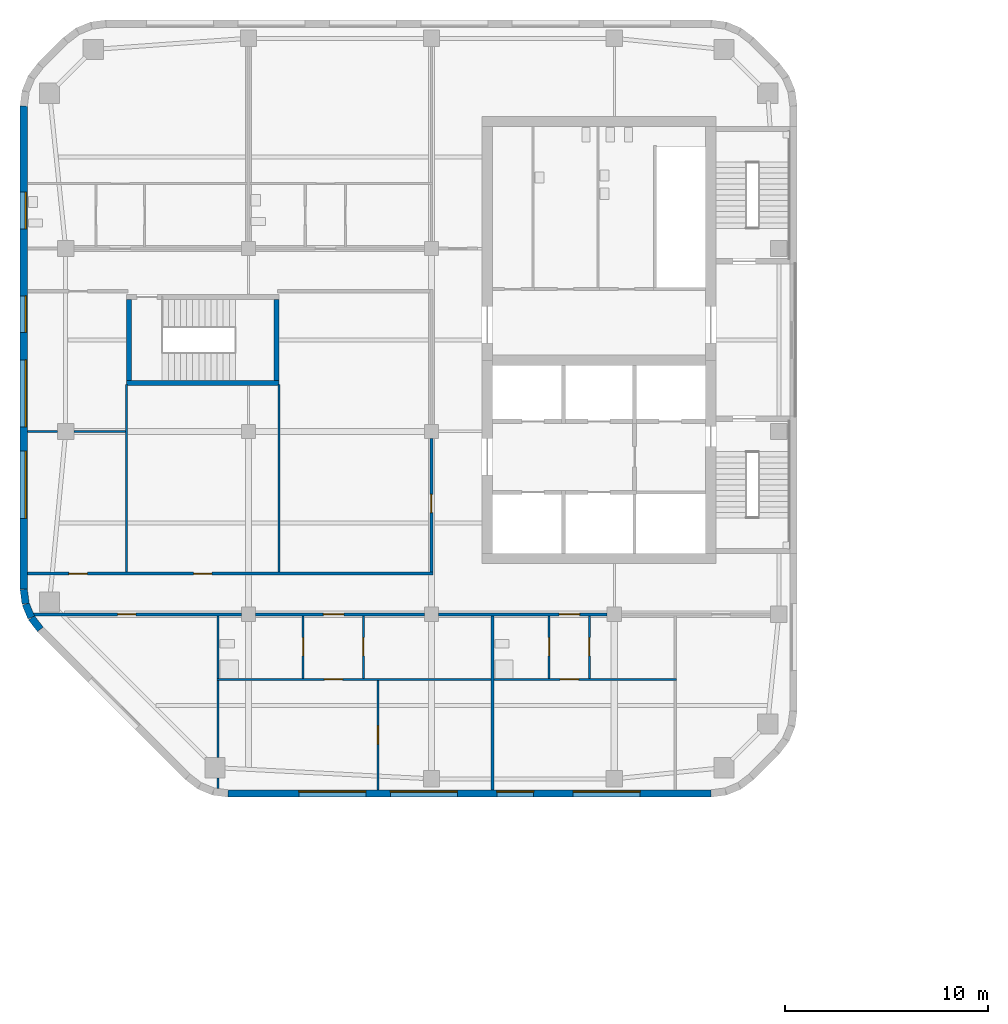
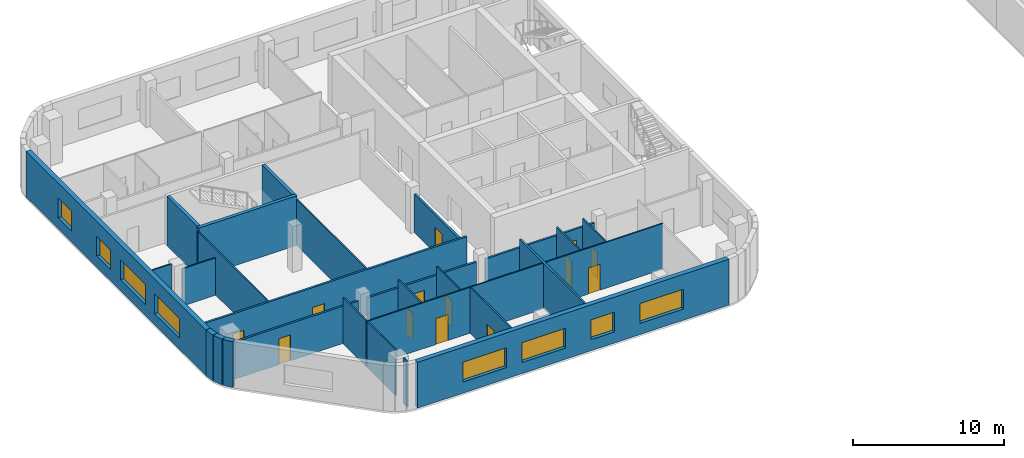
# One storey, part 5 of 15: 28 walls, 13 doors, 8 windows, 21 openings.
"""IFC4 building model written with IfcOpenShell, lengths in metres."""

from ifc_helpers import new_model, si_unit, direction, frame, frame_2d, origin, place, context, subcontext, project, spatial, rectangle, extrude, material, layer, layer_set, type_object, element, fill, save


model = new_model("IFC4")

# Units and contexts
model_context = context("Model", 3, precision=1e-05, world=origin(), true_north=direction((0.0, 1.0)))
body_context = subcontext(model_context, "Body", "Model", "MODEL_VIEW")
ifc_project = project(units=[si_unit("LENGTHUNIT", "METRE"), si_unit("AREAUNIT", "SQUARE_METRE"), si_unit("VOLUMEUNIT", "CUBIC_METRE"), si_unit("PLANEANGLEUNIT", "RADIAN"), si_unit("MASSUNIT", "GRAM", prefix="KILO")], contexts=[model_context])

# Site, building, storey
site_placement = place(None, origin())
site = spatial("IfcSite", under=ifc_project, at=site_placement, CompositionType="ELEMENT")
building_placement = place(site_placement, origin())
building = spatial("IfcBuilding", under=site, at=building_placement, Name="Cinnabar Reach Civic Tower", CompositionType="ELEMENT")
storey_placement = place(building_placement, frame((0.0, 0.0, 91.0)))
storey = spatial("IfcBuildingStorey", under=building, at=storey_placement, Name="L21", CompositionType="ELEMENT", Elevation=91.0)

# Walls
ifc_material_1 = material(Name="Facing brick with insulated backing", Category="masonry")
ifc_layer_1 = layer(ifc_material_1, 0.36)
ifc_layer_set_1 = layer_set([ifc_layer_1], Name="Brick corner wall")
wall_type_1 = type_object("IfcWallType", Name="Brick corner wall", PredefinedType="STANDARD", material=ifc_layer_set_1)
for number, where, z_axis, x_axis, name in (
    (1, (-65.067, 19.2314, 0.0), (0.0, 0.0, 1.0), (0.13055608231, -0.99144092581, 0.0), "Brick corner wall"),
    (2, (-64.9681, 18.5027, 0.0), (0.0, 0.0, 1.0), (0.382702709855, -0.923871547278, 0.0), "Brick corner wall"),
):
    element("IfcWall", number, at=place(storey_placement, frame(where, z_axis=z_axis, x_axis=x_axis)), inside=storey, type_object=wall_type_1, Name=name, PredefinedType="STANDARD", context=body_context, shape_type="SweptSolid", body=[
        extrude(rectangle(XDim=0.7131, YDim=0.36, at=frame_2d((0.3565, 0.0))), origin(), (0.0, 0.0, 1.0), 3.7),
    ])
wall_1_placement = place(storey_placement, frame((-64.684, 17.8245, 0.0), z_axis=(0.0, 0.0, 1.0), x_axis=(0.608802368033, -0.793321924995, 0.0)))
element("IfcWall", 3, at=wall_1_placement, inside=storey, type_object=wall_type_1, Name="Brick corner wall", PredefinedType="STANDARD", context=body_context, shape_type="SweptSolid", body=[
    extrude(rectangle(XDim=0.7132, YDim=0.36, at=frame_2d((0.3566, 0.0))), origin(), (0.0, 0.0, 1.0), 3.7),
])

# Wall, openings, windows
ifc_layer_2 = layer(ifc_material_1, 0.36)
ifc_layer_set_2 = layer_set([ifc_layer_2], Name="Brick pier and spandrel wall")
wall_type_2 = type_object("IfcWallType", Name="Brick pier and spandrel wall", PredefinedType="STANDARD", material=ifc_layer_set_2)
wall_2_placement = place(storey_placement, frame((-55.0074, 9.18, 0.0), z_axis=(0.0, 0.0, 1.0), x_axis=(1.0, 0.0, 0.0)))
wall_2 = element("IfcWall", 4, at=wall_2_placement, inside=storey, type_object=wall_type_2, Name="Brick facade wall", PredefinedType="STANDARD", context=body_context, shape_type="SweptSolid", body=[
    extrude(rectangle(XDim=23.7648, YDim=0.36, at=frame_2d((11.8824, 0.0))), origin(), (0.0, 0.0, 1.0), 3.7),
])
opening_1_placement = place(wall_2_placement, frame((3.4824, 0.0, 0.9)))
opening_1 = element("IfcOpeningElement", 5, at=opening_1_placement, cuts=wall_2, Name="Opening W2637", PredefinedType="OPENING", context=body_context, shape_type="SweptSolid", body=[
    extrude(rectangle(XDim=3.3, YDim=1.6, at=frame_2d((1.65, 0.8))), frame((0.0, 0.19, 0.0), z_axis=(0.0, -1.0, 0.0), x_axis=(1.0, 0.0, 0.0)), (0.0, 0.0, 1.0), 0.38),
])
opening_2_placement = place(wall_2_placement, frame((7.9824, 0.0, 0.9)))
opening_2 = element("IfcOpeningElement", 6, at=opening_2_placement, cuts=wall_2, Name="Opening W2638", PredefinedType="OPENING", context=body_context, shape_type="SweptSolid", body=[
    extrude(rectangle(XDim=3.3, YDim=1.6, at=frame_2d((1.65, 0.8))), frame((0.0, 0.19, 0.0), z_axis=(0.0, -1.0, 0.0), x_axis=(1.0, 0.0, 0.0)), (0.0, 0.0, 1.0), 0.38),
])
opening_3_placement = place(wall_2_placement, frame((13.2324, 0.0, 0.9)))
opening_3 = element("IfcOpeningElement", 7, at=opening_3_placement, cuts=wall_2, Name="Opening W2639", PredefinedType="OPENING", context=body_context, shape_type="SweptSolid", body=[
    extrude(rectangle(XDim=1.8, YDim=1.6, at=frame_2d((0.9, 0.8))), frame((0.0, 0.19, 0.0), z_axis=(0.0, -1.0, 0.0), x_axis=(1.0, 0.0, 0.0)), (0.0, 0.0, 1.0), 0.38),
])
opening_4_placement = place(wall_2_placement, frame((16.9824, 0.0, 0.9)))
opening_4 = element("IfcOpeningElement", 8, at=opening_4_placement, cuts=wall_2, Name="Opening W2640", PredefinedType="OPENING", context=body_context, shape_type="SweptSolid", body=[
    extrude(rectangle(XDim=3.3, YDim=1.6, at=frame_2d((1.65, 0.8))), frame((0.0, 0.19, 0.0), z_axis=(0.0, -1.0, 0.0), x_axis=(1.0, 0.0, 0.0)), (0.0, 0.0, 1.0), 0.38),
])
ifc_material_2 = material(Name="Clear double glazing in aluminium frame", Category="aluminium")
window_type_1 = type_object("IfcWindowType", Name="Deep-set window A", PartitioningType="SINGLE_PANEL", PredefinedType="WINDOW", material=ifc_material_2)
window_1_placement = place(opening_1_placement, origin())
window_1 = element("IfcWindow", 9, at=window_1_placement, inside=storey, type_object=window_type_1, Name="Window south face", OverallHeight=1.6, OverallWidth=3.3, PartitioningType="SINGLE_PANEL", PredefinedType="WINDOW", context=body_context, shape_type="SweptSolid", body=[
    extrude(rectangle(XDim=3.3, YDim=1.6, at=frame_2d((1.65, 0.8))), frame((0.0, 0.13, 0.0), z_axis=(0.0, -1.0, 0.0), x_axis=(1.0, 0.0, 0.0)), (0.0, 0.0, 1.0), 0.06),
])
fill(opening_1, window_1)
window_2_placement = place(opening_2_placement, origin())
window_2 = element("IfcWindow", 10, at=window_2_placement, inside=storey, type_object=window_type_1, Name="Window south face", OverallHeight=1.6, OverallWidth=3.3, PartitioningType="SINGLE_PANEL", PredefinedType="WINDOW", context=body_context, shape_type="SweptSolid", body=[
    extrude(rectangle(XDim=3.3, YDim=1.6, at=frame_2d((1.65, 0.8))), frame((0.0, 0.13, 0.0), z_axis=(0.0, -1.0, 0.0), x_axis=(1.0, 0.0, 0.0)), (0.0, 0.0, 1.0), 0.06),
])
fill(opening_2, window_2)
window_3_placement = place(opening_4_placement, origin())
window_3 = element("IfcWindow", 11, at=window_3_placement, inside=storey, type_object=window_type_1, Name="Window south face", OverallHeight=1.6, OverallWidth=3.3, PartitioningType="SINGLE_PANEL", PredefinedType="WINDOW", context=body_context, shape_type="SweptSolid", body=[
    extrude(rectangle(XDim=3.3, YDim=1.6, at=frame_2d((1.65, 0.8))), frame((0.0, 0.13, 0.0), z_axis=(0.0, -1.0, 0.0), x_axis=(1.0, 0.0, 0.0)), (0.0, 0.0, 1.0), 0.06),
])
fill(opening_4, window_3)
window_type_2 = type_object("IfcWindowType", Name="Deep-set window D", PartitioningType="SINGLE_PANEL", PredefinedType="WINDOW", material=ifc_material_2)
window_4_placement = place(opening_3_placement, origin())
window_4 = element("IfcWindow", 12, at=window_4_placement, inside=storey, type_object=window_type_2, Name="Window south face", OverallHeight=1.6, OverallWidth=1.8, PartitioningType="SINGLE_PANEL", PredefinedType="WINDOW", context=body_context, shape_type="SweptSolid", body=[
    extrude(rectangle(XDim=1.8, YDim=1.6, at=frame_2d((0.9, 0.8))), frame((0.0, 0.13, 0.0), z_axis=(0.0, -1.0, 0.0), x_axis=(1.0, 0.0, 0.0)), (0.0, 0.0, 1.0), 0.06),
])
fill(opening_3, window_4)

wall_3_placement = place(storey_placement, frame((-65.07, 43.0074, 0.0), z_axis=(0.0, 0.0, 1.0), x_axis=(0.0, -1.0, 0.0)))
wall_3 = element("IfcWall", 13, at=wall_3_placement, inside=storey, type_object=wall_type_2, Name="Brick facade wall", PredefinedType="STANDARD", context=body_context, shape_type="SweptSolid", body=[
    extrude(rectangle(XDim=23.7648, YDim=0.36, at=frame_2d((11.8824, 0.0))), origin(), (0.0, 0.0, 1.0), 3.7),
])
opening_5_placement = place(wall_3_placement, frame((4.2324, 0.0, 0.9)))
opening_5 = element("IfcOpeningElement", 14, at=opening_5_placement, cuts=wall_3, Name="Opening W2649", PredefinedType="OPENING", context=body_context, shape_type="SweptSolid", body=[
    extrude(rectangle(XDim=1.8, YDim=1.6, at=frame_2d((0.9, 0.8))), frame((0.0, 0.19, 0.0), z_axis=(0.0, -1.0, 0.0), x_axis=(1.0, 0.0, 0.0)), (0.0, 0.0, 1.0), 0.38),
])
opening_6_placement = place(wall_3_placement, frame((9.3324, 0.0, 0.9)))
opening_6 = element("IfcOpeningElement", 15, at=opening_6_placement, cuts=wall_3, Name="Opening W2650", PredefinedType="OPENING", context=body_context, shape_type="SweptSolid", body=[
    extrude(rectangle(XDim=1.8, YDim=1.6, at=frame_2d((0.9, 0.8))), frame((0.0, 0.19, 0.0), z_axis=(0.0, -1.0, 0.0), x_axis=(1.0, 0.0, 0.0)), (0.0, 0.0, 1.0), 0.38),
])
opening_7_placement = place(wall_3_placement, frame((12.4824, 0.0, 0.9)))
opening_7 = element("IfcOpeningElement", 16, at=opening_7_placement, cuts=wall_3, Name="Opening W2651", PredefinedType="OPENING", context=body_context, shape_type="SweptSolid", body=[
    extrude(rectangle(XDim=3.3, YDim=1.6, at=frame_2d((1.65, 0.8))), frame((0.0, 0.19, 0.0), z_axis=(0.0, -1.0, 0.0), x_axis=(1.0, 0.0, 0.0)), (0.0, 0.0, 1.0), 0.38),
])
opening_8_placement = place(wall_3_placement, frame((16.9824, 0.0, 0.9)))
opening_8 = element("IfcOpeningElement", 17, at=opening_8_placement, cuts=wall_3, Name="Opening W2652", PredefinedType="OPENING", context=body_context, shape_type="SweptSolid", body=[
    extrude(rectangle(XDim=3.3, YDim=1.6, at=frame_2d((1.65, 0.8))), frame((0.0, 0.19, 0.0), z_axis=(0.0, -1.0, 0.0), x_axis=(1.0, 0.0, 0.0)), (0.0, 0.0, 1.0), 0.38),
])
window_5_placement = place(opening_7_placement, origin())
window_5 = element("IfcWindow", 18, at=window_5_placement, inside=storey, type_object=window_type_1, Name="Window west face", OverallHeight=1.6, OverallWidth=3.3, PartitioningType="SINGLE_PANEL", PredefinedType="WINDOW", context=body_context, shape_type="SweptSolid", body=[
    extrude(rectangle(XDim=3.3, YDim=1.6, at=frame_2d((1.65, 0.8))), frame((0.0, 0.13, 0.0), z_axis=(0.0, -1.0, 0.0), x_axis=(1.0, 0.0, 0.0)), (0.0, 0.0, 1.0), 0.06),
])
fill(opening_7, window_5)
window_6_placement = place(opening_8_placement, origin())
window_6 = element("IfcWindow", 19, at=window_6_placement, inside=storey, type_object=window_type_1, Name="Window west face", OverallHeight=1.6, OverallWidth=3.3, PartitioningType="SINGLE_PANEL", PredefinedType="WINDOW", context=body_context, shape_type="SweptSolid", body=[
    extrude(rectangle(XDim=3.3, YDim=1.6, at=frame_2d((1.65, 0.8))), frame((0.0, 0.13, 0.0), z_axis=(0.0, -1.0, 0.0), x_axis=(1.0, 0.0, 0.0)), (0.0, 0.0, 1.0), 0.06),
])
fill(opening_8, window_6)
window_7_placement = place(opening_5_placement, origin())
window_7 = element("IfcWindow", 20, at=window_7_placement, inside=storey, type_object=window_type_2, Name="Window west face", OverallHeight=1.6, OverallWidth=1.8, PartitioningType="SINGLE_PANEL", PredefinedType="WINDOW", context=body_context, shape_type="SweptSolid", body=[
    extrude(rectangle(XDim=1.8, YDim=1.6, at=frame_2d((0.9, 0.8))), frame((0.0, 0.13, 0.0), z_axis=(0.0, -1.0, 0.0), x_axis=(1.0, 0.0, 0.0)), (0.0, 0.0, 1.0), 0.06),
])
fill(opening_5, window_7)
window_8_placement = place(opening_6_placement, origin())
window_8 = element("IfcWindow", 21, at=window_8_placement, inside=storey, type_object=window_type_2, Name="Window west face", OverallHeight=1.6, OverallWidth=1.8, PartitioningType="SINGLE_PANEL", PredefinedType="WINDOW", context=body_context, shape_type="SweptSolid", body=[
    extrude(rectangle(XDim=1.8, YDim=1.6, at=frame_2d((0.9, 0.8))), frame((0.0, 0.13, 0.0), z_axis=(0.0, -1.0, 0.0), x_axis=(1.0, 0.0, 0.0)), (0.0, 0.0, 1.0), 0.06),
])
fill(opening_6, window_8)

# Wall, opening, door
ifc_material_3 = material(Name="Gypsum board on steel studs, double layer", Category="steel")
ifc_layer_3 = layer(ifc_material_3, 0.15)
ifc_layer_set_3 = layer_set([ifc_layer_3], Name="Corridor wall 150 T2")
wall_type_3 = type_object("IfcWallType", Name="Corridor wall 150 T2", PredefinedType="PARTITIONING", material=ifc_layer_set_3)
wall_4_placement = place(storey_placement, frame((-44.65, 18.0, 0.0), z_axis=(0.0, 0.0, 1.0), x_axis=(1.0, 0.0, 0.0)))
wall_4 = element("IfcWall", 22, at=wall_4_placement, inside=storey, type_object=wall_type_3, Name="Corridor wall 2", PredefinedType="PARTITIONING", context=body_context, shape_type="SweptSolid", body=[
    extrude(rectangle(XDim=8.3, YDim=0.15, at=frame_2d((4.15, 0.0))), origin(), (0.0, 0.0, 1.0), 3.008),
])
opening_9_placement = place(wall_4_placement, frame((5.94, 0.0, 0.0)))
opening_9 = element("IfcOpeningElement", 23, at=opening_9_placement, cuts=wall_4, Name="Opening D6812", PredefinedType="OPENING", context=body_context, shape_type="SweptSolid", body=[
    extrude(rectangle(XDim=1.0, YDim=2.1, at=frame_2d((0.5, 1.05))), frame((0.0, 0.085, 0.0), z_axis=(0.0, -1.0, 0.0), x_axis=(1.0, 0.0, 0.0)), (0.0, 0.0, 1.0), 0.17),
])
ifc_material_4 = material(Name="Timber door leaf in steel frame", Category="steel")
door_type_1 = type_object("IfcDoorType", Name="Tenancy entrance door 1000 x 2100 T2", OperationType="SINGLE_SWING_LEFT", PredefinedType="DOOR", material=ifc_material_4)
door_1_placement = place(opening_9_placement, frame((1.0, 0.0, 0.0), z_axis=(0.0, 0.0, 1.0), x_axis=(-1.0, 0.0, 0.0)))
door_1 = element("IfcDoor", 24, at=door_1_placement, inside=storey, type_object=door_type_1, Name="Door D6812", OperationType="SINGLE_SWING_LEFT", OverallHeight=2.1, OverallWidth=1.0, PredefinedType="DOOR", context=body_context, shape_type="SweptSolid", body=[
    extrude(rectangle(XDim=1.0, YDim=2.1, at=frame_2d((0.5, 1.05))), frame((0.0, 0.025, 0.0), z_axis=(0.0, -1.0, 0.0), x_axis=(1.0, 0.0, 0.0)), (0.0, 0.0, 1.0), 0.05),
])
fill(opening_9, door_1)

wall_5_placement = place(storey_placement, frame((-53.65, 18.0, 0.0), z_axis=(0.0, 0.0, 1.0), x_axis=(1.0, 0.0, 0.0)))
wall_5 = element("IfcWall", 25, at=wall_5_placement, inside=storey, type_object=wall_type_3, Name="Corridor wall 3", PredefinedType="PARTITIONING", context=body_context, shape_type="SweptSolid", body=[
    extrude(rectangle(XDim=8.3, YDim=0.15, at=frame_2d((4.15, 0.0))), origin(), (0.0, 0.0, 1.0), 3.008),
])
opening_10_placement = place(wall_5_placement, frame((3.335, 0.0, 0.0)))
opening_10 = element("IfcOpeningElement", 26, at=opening_10_placement, cuts=wall_5, Name="Opening D6808", PredefinedType="OPENING", context=body_context, shape_type="SweptSolid", body=[
    extrude(rectangle(XDim=1.0, YDim=2.1, at=frame_2d((0.5, 1.05))), frame((0.0, 0.085, 0.0), z_axis=(0.0, -1.0, 0.0), x_axis=(1.0, 0.0, 0.0)), (0.0, 0.0, 1.0), 0.17),
])
door_2_placement = place(opening_10_placement, frame((1.0, 0.0, 0.0), z_axis=(0.0, 0.0, 1.0), x_axis=(-1.0, 0.0, 0.0)))
door_2 = element("IfcDoor", 27, at=door_2_placement, inside=storey, type_object=door_type_1, Name="Door D6808", OperationType="SINGLE_SWING_LEFT", OverallHeight=2.1, OverallWidth=1.0, PredefinedType="DOOR", context=body_context, shape_type="SweptSolid", body=[
    extrude(rectangle(XDim=1.0, YDim=2.1, at=frame_2d((0.5, 1.05))), frame((0.0, 0.025, 0.0), z_axis=(0.0, -1.0, 0.0), x_axis=(1.0, 0.0, 0.0)), (0.0, 0.0, 1.0), 0.05),
])
fill(opening_10, door_2)

wall_6_placement = place(storey_placement, frame((-64.5961, 18.0, 0.0), z_axis=(0.0, 0.0, 1.0), x_axis=(1.0, 0.0, 0.0)))
wall_6 = element("IfcWall", 28, at=wall_6_placement, inside=storey, type_object=wall_type_3, Name="Corridor wall 4", PredefinedType="PARTITIONING", context=body_context, shape_type="SweptSolid", body=[
    extrude(rectangle(XDim=10.2461, YDim=0.15, at=frame_2d((5.1231, 0.0))), origin(), (0.0, 0.0, 1.0), 3.008),
])
opening_11_placement = place(wall_6_placement, frame((4.15, 0.0, 0.0)))
opening_11 = element("IfcOpeningElement", 29, at=opening_11_placement, cuts=wall_6, Name="Opening D6803", PredefinedType="OPENING", context=body_context, shape_type="SweptSolid", body=[
    extrude(rectangle(XDim=0.9, YDim=2.1, at=frame_2d((0.45, 1.05))), frame((0.0, 0.085, 0.0), z_axis=(0.0, -1.0, 0.0), x_axis=(1.0, 0.0, 0.0)), (0.0, 0.0, 1.0), 0.17),
])
door_type_2 = type_object("IfcDoorType", Name="Single swing door 900 x 2100 T2", OperationType="SINGLE_SWING_LEFT", PredefinedType="DOOR", material=ifc_material_4)
door_3_placement = place(opening_11_placement, frame((0.9, 0.0, 0.0), z_axis=(0.0, 0.0, 1.0), x_axis=(-1.0, 0.0, 0.0)))
door_3 = element("IfcDoor", 30, at=door_3_placement, inside=storey, type_object=door_type_2, Name="Door D6803", OperationType="SINGLE_SWING_RIGHT", OverallHeight=2.1, OverallWidth=0.9, PredefinedType="DOOR", context=body_context, shape_type="SweptSolid", body=[
    extrude(rectangle(XDim=0.9, YDim=2.1, at=frame_2d((0.45, 1.05))), frame((0.0, 0.025, 0.0), z_axis=(0.0, -1.0, 0.0), x_axis=(1.0, 0.0, 0.0)), (0.0, 0.0, 1.0), 0.05),
])
fill(opening_11, door_3)

# Wall, openings, doors
wall_7_placement = place(storey_placement, frame((-64.89, 20.0, 0.0), z_axis=(0.0, 0.0, 1.0), x_axis=(1.0, 0.0, 0.0)))
wall_7 = element("IfcWall", 31, at=wall_7_placement, inside=storey, type_object=wall_type_3, Name="Corridor wall 9", PredefinedType="PARTITIONING", context=body_context, shape_type="SweptSolid", body=[
    extrude(rectangle(XDim=19.965, YDim=0.15, at=frame_2d((9.9825, 0.0))), origin(), (0.0, 0.0, 1.0), 3.7),
])
opening_12_placement = place(wall_7_placement, frame((2.05, 0.0, 0.0)))
opening_12 = element("IfcOpeningElement", 32, at=opening_12_placement, cuts=wall_7, Name="Opening D6822", PredefinedType="OPENING", context=body_context, shape_type="SweptSolid", body=[
    extrude(rectangle(XDim=0.9, YDim=2.1, at=frame_2d((0.45, 1.05))), frame((0.0, 0.085, 0.0), z_axis=(0.0, -1.0, 0.0), x_axis=(1.0, 0.0, 0.0)), (0.0, 0.0, 1.0), 0.17),
])
opening_13_placement = place(wall_7_placement, frame((8.19, 0.0, 0.0)))
opening_13 = element("IfcOpeningElement", 33, at=opening_13_placement, cuts=wall_7, Name="Opening D6824", PredefinedType="OPENING", context=body_context, shape_type="SweptSolid", body=[
    extrude(rectangle(XDim=0.9, YDim=2.1, at=frame_2d((0.45, 1.05))), frame((0.0, 0.085, 0.0), z_axis=(0.0, -1.0, 0.0), x_axis=(1.0, 0.0, 0.0)), (0.0, 0.0, 1.0), 0.17),
])
door_4_placement = place(opening_12_placement, origin())
door_4 = element("IfcDoor", 34, at=door_4_placement, inside=storey, type_object=door_type_2, Name="Door D6822", OperationType="SINGLE_SWING_LEFT", OverallHeight=2.1, OverallWidth=0.9, PredefinedType="DOOR", context=body_context, shape_type="SweptSolid", body=[
    extrude(rectangle(XDim=0.9, YDim=2.1, at=frame_2d((0.45, 1.05))), frame((0.0, 0.025, 0.0), z_axis=(0.0, -1.0, 0.0), x_axis=(1.0, 0.0, 0.0)), (0.0, 0.0, 1.0), 0.05),
])
fill(opening_12, door_4)
door_5_placement = place(opening_13_placement, origin())
door_5 = element("IfcDoor", 35, at=door_5_placement, inside=storey, type_object=door_type_2, Name="Door D6824", OperationType="SINGLE_SWING_RIGHT", OverallHeight=2.1, OverallWidth=0.9, PredefinedType="DOOR", context=body_context, shape_type="SweptSolid", body=[
    extrude(rectangle(XDim=0.9, YDim=2.1, at=frame_2d((0.45, 1.05))), frame((0.0, 0.025, 0.0), z_axis=(0.0, -1.0, 0.0), x_axis=(1.0, 0.0, 0.0)), (0.0, 0.0, 1.0), 0.05),
])
fill(opening_13, door_5)

# Wall, opening, door
wall_8_placement = place(storey_placement, frame((-45.0, 20.075, 0.0), z_axis=(0.0, 0.0, 1.0), x_axis=(0.0, 1.0, 0.0)))
wall_8 = element("IfcWall", 36, at=wall_8_placement, inside=storey, type_object=wall_type_3, Name="Corridor wall 10", PredefinedType="PARTITIONING", context=body_context, shape_type="SweptSolid", body=[
    extrude(rectangle(XDim=6.575, YDim=0.15, at=frame_2d((3.2875, 0.0))), origin(), (0.0, 0.0, 1.0), 3.106),
])
opening_14_placement = place(wall_8_placement, frame((2.925, 0.0, 0.0)))
opening_14 = element("IfcOpeningElement", 37, at=opening_14_placement, cuts=wall_8, Name="Opening D6825", PredefinedType="OPENING", context=body_context, shape_type="SweptSolid", body=[
    extrude(rectangle(XDim=0.9, YDim=2.1, at=frame_2d((0.45, 1.05))), frame((0.0, 0.085, 0.0), z_axis=(0.0, -1.0, 0.0), x_axis=(1.0, 0.0, 0.0)), (0.0, 0.0, 1.0), 0.17),
])
door_6_placement = place(opening_14_placement, origin())
door_6 = element("IfcDoor", 38, at=door_6_placement, inside=storey, type_object=door_type_2, Name="Door D6825", OperationType="SINGLE_SWING_RIGHT", OverallHeight=2.1, OverallWidth=0.9, PredefinedType="DOOR", context=body_context, shape_type="SweptSolid", body=[
    extrude(rectangle(XDim=0.9, YDim=2.1, at=frame_2d((0.45, 1.05))), frame((0.0, 0.025, 0.0), z_axis=(0.0, -1.0, 0.0), x_axis=(1.0, 0.0, 0.0)), (0.0, 0.0, 1.0), 0.05),
])
fill(opening_14, door_6)

ifc_material_5 = material(Name="Gypsum board on steel studs", Category="steel")
ifc_layer_4 = layer(ifc_material_5, 0.1)
ifc_layer_set_4 = layer_set([ifc_layer_4], Name="Partition wall 100 T2")
wall_type_4 = type_object("IfcWallType", Name="Partition wall 100 T2", PredefinedType="PARTITIONING", material=ifc_layer_set_4)
wall_9_placement = place(storey_placement, frame((-55.55, 14.8, 0.0), z_axis=(0.0, 0.0, 1.0), x_axis=(1.0, 0.0, 0.0)))
wall_9 = element("IfcWall", 39, at=wall_9_placement, inside=storey, type_object=wall_type_4, Name="Partition wall 16", PredefinedType="PARTITIONING", context=body_context, shape_type="SweptSolid", body=[
    extrude(rectangle(XDim=13.475, YDim=0.1, at=frame_2d((6.7375, 0.0))), origin(), (0.0, 0.0, 1.0), 3.7),
])
opening_15_placement = place(wall_9_placement, frame((5.285, 0.0, 0.0)))
opening_15 = element("IfcOpeningElement", 40, at=opening_15_placement, cuts=wall_9, Name="Opening D6806", PredefinedType="OPENING", context=body_context, shape_type="SweptSolid", body=[
    extrude(rectangle(XDim=0.9, YDim=2.1, at=frame_2d((0.45, 1.05))), frame((0.0, 0.06, 0.0), z_axis=(0.0, -1.0, 0.0), x_axis=(1.0, 0.0, 0.0)), (0.0, 0.0, 1.0), 0.12),
])
door_7_placement = place(opening_15_placement, origin())
door_7 = element("IfcDoor", 41, at=door_7_placement, inside=storey, type_object=door_type_2, Name="Door D6806", OperationType="SINGLE_SWING_LEFT", OverallHeight=2.1, OverallWidth=0.9, PredefinedType="DOOR", context=body_context, shape_type="SweptSolid", body=[
    extrude(rectangle(XDim=0.9, YDim=2.1, at=frame_2d((0.45, 1.05))), frame((0.0, 0.025, 0.0), z_axis=(0.0, -1.0, 0.0), x_axis=(1.0, 0.0, 0.0)), (0.0, 0.0, 1.0), 0.05),
])
fill(opening_15, door_7)

wall_10_placement = place(storey_placement, frame((-41.925, 14.8, 0.0), z_axis=(0.0, 0.0, 1.0), x_axis=(1.0, 0.0, 0.0)))
wall_10 = element("IfcWall", 42, at=wall_10_placement, inside=storey, type_object=wall_type_4, Name="Partition wall 17", PredefinedType="PARTITIONING", context=body_context, shape_type="SweptSolid", body=[
    extrude(rectangle(XDim=8.975, YDim=0.1, at=frame_2d((4.4875, 0.0))), origin(), (0.0, 0.0, 1.0), 3.7),
])
opening_16_placement = place(wall_10_placement, frame((3.265, 0.0, 0.0)))
opening_16 = element("IfcOpeningElement", 43, at=opening_16_placement, cuts=wall_10, Name="Opening D6811", PredefinedType="OPENING", context=body_context, shape_type="SweptSolid", body=[
    extrude(rectangle(XDim=0.9, YDim=2.1, at=frame_2d((0.45, 1.05))), frame((0.0, 0.06, 0.0), z_axis=(0.0, -1.0, 0.0), x_axis=(1.0, 0.0, 0.0)), (0.0, 0.0, 1.0), 0.12),
])
door_8_placement = place(opening_16_placement, origin())
door_8 = element("IfcDoor", 44, at=door_8_placement, inside=storey, type_object=door_type_2, Name="Door D6811", OperationType="SINGLE_SWING_RIGHT", OverallHeight=2.1, OverallWidth=0.9, PredefinedType="DOOR", context=body_context, shape_type="SweptSolid", body=[
    extrude(rectangle(XDim=0.9, YDim=2.1, at=frame_2d((0.45, 1.05))), frame((0.0, 0.025, 0.0), z_axis=(0.0, -1.0, 0.0), x_axis=(1.0, 0.0, 0.0)), (0.0, 0.0, 1.0), 0.05),
])
fill(opening_16, door_8)

# Walls
for number, where, z_axis, x_axis, name in (
    (45, (-60.0, 20.075, 0.0), (0.0, 0.0, 1.0), (0.0, 1.0, 0.0), "Partition wall 22"),
    (46, (-52.5, 20.075, 0.0), (0.0, 0.0, 1.0), (0.0, 1.0, 0.0), "Partition wall 23"),
):
    element("IfcWall", number, at=place(storey_placement, frame(where, z_axis=z_axis, x_axis=x_axis)), inside=storey, type_object=wall_type_4, Name=name, PredefinedType="PARTITIONING", context=body_context, shape_type="SweptSolid", body=[
        extrude(rectangle(XDim=9.225, YDim=0.1, at=frame_2d((4.6125, 0.0))), origin(), (0.0, 0.0, 1.0), 3.7),
    ])
wall_11_placement = place(storey_placement, frame((-55.5, 14.85, 0.0), z_axis=(0.0, 0.0, 1.0), x_axis=(0.0, 1.0, 0.0)))
element("IfcWall", 47, at=wall_11_placement, inside=storey, type_object=wall_type_4, Name="Partition wall 26", PredefinedType="PARTITIONING", context=body_context, shape_type="SweptSolid", body=[
    extrude(rectangle(XDim=3.075, YDim=0.1, at=frame_2d((1.5375, 0.0))), origin(), (0.0, 0.0, 1.0), 3.7),
])
wall_12_placement = place(storey_placement, frame((-55.5, 10.9531, 0.0), z_axis=(0.0, 0.0, 1.0), x_axis=(0.0, 1.0, 0.0)))
element("IfcWall", 48, at=wall_12_placement, inside=storey, type_object=wall_type_4, Name="Partition wall 27", PredefinedType="PARTITIONING", context=body_context, shape_type="SweptSolid", body=[
    extrude(rectangle(XDim=3.7969, YDim=0.1, at=frame_2d((1.8984, 0.0))), origin(), (0.0, 0.0, 1.0), 3.7),
])
wall_13_placement = place(storey_placement, frame((-55.5, 9.428, 0.0), z_axis=(0.0, 0.0, 1.0), x_axis=(0.0, 1.0, 0.0)))
element("IfcWall", 49, at=wall_13_placement, inside=storey, type_object=wall_type_4, Name="Partition wall 28", PredefinedType="PARTITIONING", context=body_context, shape_type="SweptSolid", body=[
    extrude(rectangle(XDim=0.5251, YDim=0.1, at=frame_2d((0.2626, 0.0))), origin(), (0.0, 0.0, 1.0), 3.7),
])

# Wall, opening, door
wall_14_placement = place(storey_placement, frame((-47.63, 9.36, 0.0), z_axis=(0.0, 0.0, 1.0), x_axis=(0.0, 1.0, 0.0)))
wall_14 = element("IfcWall", 50, at=wall_14_placement, inside=storey, type_object=wall_type_4, Name="Partition wall 29", PredefinedType="PARTITIONING", context=body_context, shape_type="SweptSolid", body=[
    extrude(rectangle(XDim=5.39, YDim=0.1, at=frame_2d((2.695, 0.0))), origin(), (0.0, 0.0, 1.0), 3.7),
])
opening_17_placement = place(wall_14_placement, frame((2.25, 0.0, 0.0)))
opening_17 = element("IfcOpeningElement", 51, at=opening_17_placement, cuts=wall_14, Name="Opening D6807", PredefinedType="OPENING", context=body_context, shape_type="SweptSolid", body=[
    extrude(rectangle(XDim=0.9, YDim=2.1, at=frame_2d((0.45, 1.05))), frame((0.0, 0.06, 0.0), z_axis=(0.0, -1.0, 0.0), x_axis=(1.0, 0.0, 0.0)), (0.0, 0.0, 1.0), 0.12),
])
door_9_placement = place(opening_17_placement, frame((0.9, 0.0, 0.0), z_axis=(0.0, 0.0, 1.0), x_axis=(-1.0, 0.0, 0.0)))
door_9 = element("IfcDoor", 52, at=door_9_placement, inside=storey, type_object=door_type_2, Name="Door D6807", OperationType="SINGLE_SWING_LEFT", OverallHeight=2.1, OverallWidth=0.9, PredefinedType="DOOR", context=body_context, shape_type="SweptSolid", body=[
    extrude(rectangle(XDim=0.9, YDim=2.1, at=frame_2d((0.45, 1.05))), frame((0.0, 0.025, 0.0), z_axis=(0.0, -1.0, 0.0), x_axis=(1.0, 0.0, 0.0)), (0.0, 0.0, 1.0), 0.05),
])
fill(opening_17, door_9)

# Walls
wall_15_placement = place(storey_placement, frame((-62.6, 27.0, 0.0), z_axis=(0.0, 0.0, 1.0), x_axis=(1.0, 0.0, 0.0)))
element("IfcWall", 53, at=wall_15_placement, inside=storey, type_object=wall_type_4, Name="Partition wall 30", PredefinedType="PARTITIONING", context=body_context, shape_type="SweptSolid", body=[
    extrude(rectangle(XDim=2.55, YDim=0.1, at=frame_2d((1.275, 0.0))), origin(), (0.0, 0.0, 1.0), 3.008),
])
wall_16_placement = place(storey_placement, frame((-64.89, 27.0, 0.0), z_axis=(0.0, 0.0, 1.0), x_axis=(1.0, 0.0, 0.0)))
element("IfcWall", 54, at=wall_16_placement, inside=storey, type_object=wall_type_4, Name="Partition wall 31", PredefinedType="PARTITIONING", context=body_context, shape_type="SweptSolid", body=[
    extrude(rectangle(XDim=1.49, YDim=0.1, at=frame_2d((0.745, 0.0))), origin(), (0.0, 0.0, 1.0), 3.7),
])

# Wall, opening, door
wall_17_placement = place(storey_placement, frame((-51.315, 14.85, 0.0), z_axis=(0.0, 0.0, 1.0), x_axis=(0.0, 1.0, 0.0)))
wall_17 = element("IfcWall", 55, at=wall_17_placement, inside=storey, type_object=wall_type_4, Name="Partition wall 36", PredefinedType="PARTITIONING", context=body_context, shape_type="SweptSolid", body=[
    extrude(rectangle(XDim=3.075, YDim=0.1, at=frame_2d((1.5375, 0.0))), origin(), (0.0, 0.0, 1.0), 3.7),
])
opening_18_placement = place(wall_17_placement, frame((1.1, 0.0, 0.0)))
opening_18 = element("IfcOpeningElement", 56, at=opening_18_placement, cuts=wall_17, Name="Opening D6804", PredefinedType="OPENING", context=body_context, shape_type="SweptSolid", body=[
    extrude(rectangle(XDim=0.9, YDim=2.1, at=frame_2d((0.45, 1.05))), frame((0.0, 0.06, 0.0), z_axis=(0.0, -1.0, 0.0), x_axis=(1.0, 0.0, 0.0)), (0.0, 0.0, 1.0), 0.12),
])
door_10_placement = place(opening_18_placement, origin())
door_10 = element("IfcDoor", 57, at=door_10_placement, inside=storey, type_object=door_type_2, Name="Door D6804", OperationType="SINGLE_SWING_LEFT", OverallHeight=2.1, OverallWidth=0.9, PredefinedType="DOOR", context=body_context, shape_type="SweptSolid", body=[
    extrude(rectangle(XDim=0.9, YDim=2.1, at=frame_2d((0.45, 1.05))), frame((0.0, 0.025, 0.0), z_axis=(0.0, -1.0, 0.0), x_axis=(1.0, 0.0, 0.0)), (0.0, 0.0, 1.0), 0.05),
])
fill(opening_18, door_10)

wall_18_placement = place(storey_placement, frame((-48.345, 14.85, 0.0), z_axis=(0.0, 0.0, 1.0), x_axis=(0.0, 1.0, 0.0)))
wall_18 = element("IfcWall", 58, at=wall_18_placement, inside=storey, type_object=wall_type_4, Name="Partition wall 37", PredefinedType="PARTITIONING", context=body_context, shape_type="SweptSolid", body=[
    extrude(rectangle(XDim=3.075, YDim=0.1, at=frame_2d((1.5375, 0.0))), origin(), (0.0, 0.0, 1.0), 3.7),
])
opening_19_placement = place(wall_18_placement, frame((1.1, 0.0, 0.0)))
opening_19 = element("IfcOpeningElement", 59, at=opening_19_placement, cuts=wall_18, Name="Opening D6805", PredefinedType="OPENING", context=body_context, shape_type="SweptSolid", body=[
    extrude(rectangle(XDim=0.9, YDim=2.1, at=frame_2d((0.45, 1.05))), frame((0.0, 0.06, 0.0), z_axis=(0.0, -1.0, 0.0), x_axis=(1.0, 0.0, 0.0)), (0.0, 0.0, 1.0), 0.12),
])
door_11_placement = place(opening_19_placement, origin())
door_11 = element("IfcDoor", 60, at=door_11_placement, inside=storey, type_object=door_type_2, Name="Door D6805", OperationType="SINGLE_SWING_LEFT", OverallHeight=2.1, OverallWidth=0.9, PredefinedType="DOOR", context=body_context, shape_type="SweptSolid", body=[
    extrude(rectangle(XDim=0.9, YDim=2.1, at=frame_2d((0.45, 1.05))), frame((0.0, 0.025, 0.0), z_axis=(0.0, -1.0, 0.0), x_axis=(1.0, 0.0, 0.0)), (0.0, 0.0, 1.0), 0.05),
])
fill(opening_19, door_11)

wall_19_placement = place(storey_placement, frame((-39.21, 14.85, 0.0), z_axis=(0.0, 0.0, 1.0), x_axis=(0.0, 1.0, 0.0)))
wall_19 = element("IfcWall", 61, at=wall_19_placement, inside=storey, type_object=wall_type_4, Name="Partition wall 38", PredefinedType="PARTITIONING", context=body_context, shape_type="SweptSolid", body=[
    extrude(rectangle(XDim=3.075, YDim=0.1, at=frame_2d((1.5375, 0.0))), origin(), (0.0, 0.0, 1.0), 3.7),
])
opening_20_placement = place(wall_19_placement, frame((1.1, 0.0, 0.0)))
opening_20 = element("IfcOpeningElement", 62, at=opening_20_placement, cuts=wall_19, Name="Opening D6809", PredefinedType="OPENING", context=body_context, shape_type="SweptSolid", body=[
    extrude(rectangle(XDim=0.9, YDim=2.1, at=frame_2d((0.45, 1.05))), frame((0.0, 0.06, 0.0), z_axis=(0.0, -1.0, 0.0), x_axis=(1.0, 0.0, 0.0)), (0.0, 0.0, 1.0), 0.12),
])
door_12_placement = place(opening_20_placement, origin())
door_12 = element("IfcDoor", 63, at=door_12_placement, inside=storey, type_object=door_type_2, Name="Door D6809", OperationType="SINGLE_SWING_RIGHT", OverallHeight=2.1, OverallWidth=0.9, PredefinedType="DOOR", context=body_context, shape_type="SweptSolid", body=[
    extrude(rectangle(XDim=0.9, YDim=2.1, at=frame_2d((0.45, 1.05))), frame((0.0, 0.025, 0.0), z_axis=(0.0, -1.0, 0.0), x_axis=(1.0, 0.0, 0.0)), (0.0, 0.0, 1.0), 0.05),
])
fill(opening_20, door_12)

wall_20_placement = place(storey_placement, frame((-37.23, 14.85, 0.0), z_axis=(0.0, 0.0, 1.0), x_axis=(0.0, 1.0, 0.0)))
wall_20 = element("IfcWall", 64, at=wall_20_placement, inside=storey, type_object=wall_type_4, Name="Partition wall 39", PredefinedType="PARTITIONING", context=body_context, shape_type="SweptSolid", body=[
    extrude(rectangle(XDim=3.075, YDim=0.1, at=frame_2d((1.5375, 0.0))), origin(), (0.0, 0.0, 1.0), 3.7),
])
opening_21_placement = place(wall_20_placement, frame((1.1, 0.0, 0.0)))
opening_21 = element("IfcOpeningElement", 65, at=opening_21_placement, cuts=wall_20, Name="Opening D6810", PredefinedType="OPENING", context=body_context, shape_type="SweptSolid", body=[
    extrude(rectangle(XDim=0.9, YDim=2.1, at=frame_2d((0.45, 1.05))), frame((0.0, 0.06, 0.0), z_axis=(0.0, -1.0, 0.0), x_axis=(1.0, 0.0, 0.0)), (0.0, 0.0, 1.0), 0.12),
])
door_13_placement = place(opening_21_placement, origin())
door_13 = element("IfcDoor", 66, at=door_13_placement, inside=storey, type_object=door_type_2, Name="Door D6810", OperationType="SINGLE_SWING_RIGHT", OverallHeight=2.1, OverallWidth=0.9, PredefinedType="DOOR", context=body_context, shape_type="SweptSolid", body=[
    extrude(rectangle(XDim=0.9, YDim=2.1, at=frame_2d((0.45, 1.05))), frame((0.0, 0.025, 0.0), z_axis=(0.0, -1.0, 0.0), x_axis=(1.0, 0.0, 0.0)), (0.0, 0.0, 1.0), 0.05),
])
fill(opening_21, door_13)

# Walls
ifc_material_6 = material(Name="Concrete C60", Category="concrete")
ifc_layer_5 = layer(ifc_material_6, 0.25)
ifc_layer_set_5 = layer_set([ifc_layer_5], Name="Stair shaft wall 250 EI 120")
wall_type_5 = type_object("IfcWallType", Name="Stair shaft wall 250 EI 120", PredefinedType="SOLIDWALL", material=ifc_layer_set_5)
wall_21_placement = place(storey_placement, frame((-60.0, 29.375, 0.0), z_axis=(0.0, 0.0, 1.0), x_axis=(1.0, 0.0, 0.0)))
element("IfcWall", 67, at=wall_21_placement, inside=storey, type_object=wall_type_5, Name="Stair shaft wall T2-S3 L21", PredefinedType="SOLIDWALL", context=body_context, shape_type="SweptSolid", body=[
    extrude(rectangle(XDim=7.5, YDim=0.25, at=frame_2d((3.75, 0.0))), origin(), (0.0, 0.0, 1.0), 4.0),
])
for number, where, z_axis, x_axis, name in (
    (68, (-52.625, 29.5, 0.0), (0.0, 0.0, 1.0), (0.0, 1.0, 0.0), "Stair shaft wall T2-S3 L21"),
    (69, (-59.875, 33.5, 0.0), (0.0, 0.0, 1.0), (0.0, -1.0, 0.0), "Stair shaft wall T2-S3 L21"),
):
    element("IfcWall", number, at=place(storey_placement, frame(where, z_axis=z_axis, x_axis=x_axis)), inside=storey, type_object=wall_type_5, Name=name, PredefinedType="SOLIDWALL", context=body_context, shape_type="SweptSolid", body=[
        extrude(rectangle(XDim=4.0, YDim=0.25, at=frame_2d((2.0, 0.0))), origin(), (0.0, 0.0, 1.0), 4.0),
    ])
ifc_layer_6 = layer(ifc_material_3, 0.15)
ifc_layer_set_6 = layer_set([ifc_layer_6], Name="Tenancy separating wall 150 T2")
wall_type_6 = type_object("IfcWallType", Name="Tenancy separating wall 150 T2", PredefinedType="PARTITIONING", material=ifc_layer_set_6)
wall_22_placement = place(storey_placement, frame((-42.0, 9.36, 0.0), z_axis=(0.0, 0.0, 1.0), x_axis=(0.0, 1.0, 0.0)))
element("IfcWall", 70, at=wall_22_placement, inside=storey, type_object=wall_type_6, Name="Tenancy separating wall 15", PredefinedType="PARTITIONING", context=body_context, shape_type="SweptSolid", body=[
    extrude(rectangle(XDim=8.565, YDim=0.15, at=frame_2d((4.2825, 0.0))), origin(), (0.0, 0.0, 1.0), 3.7),
])

save(model, "model.ifc")
